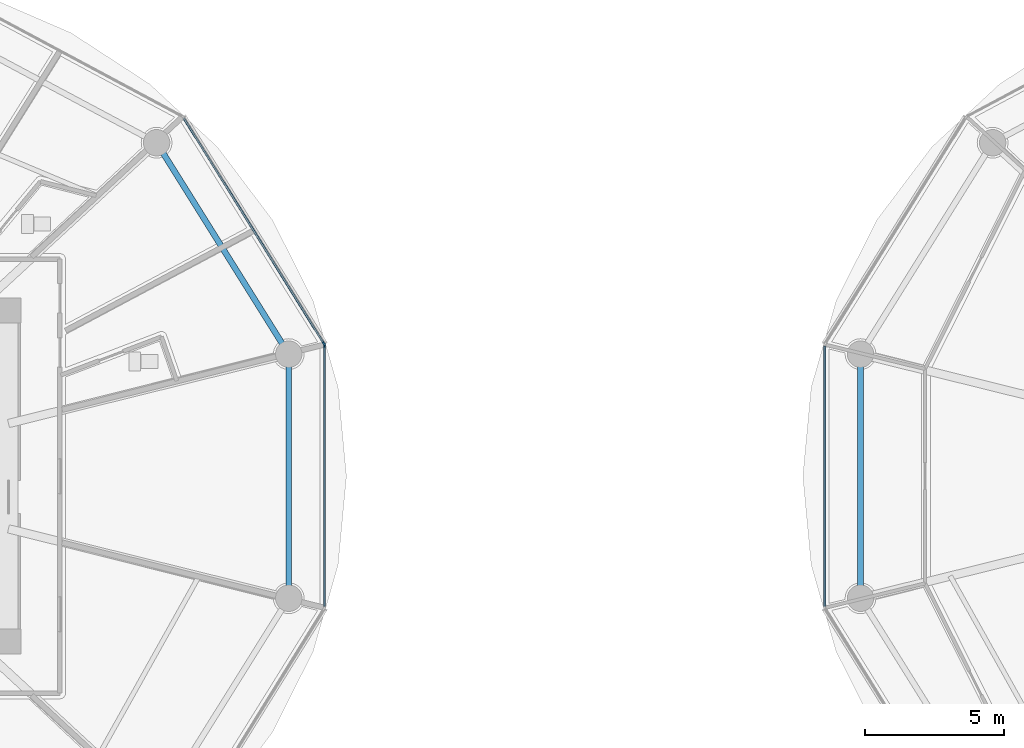
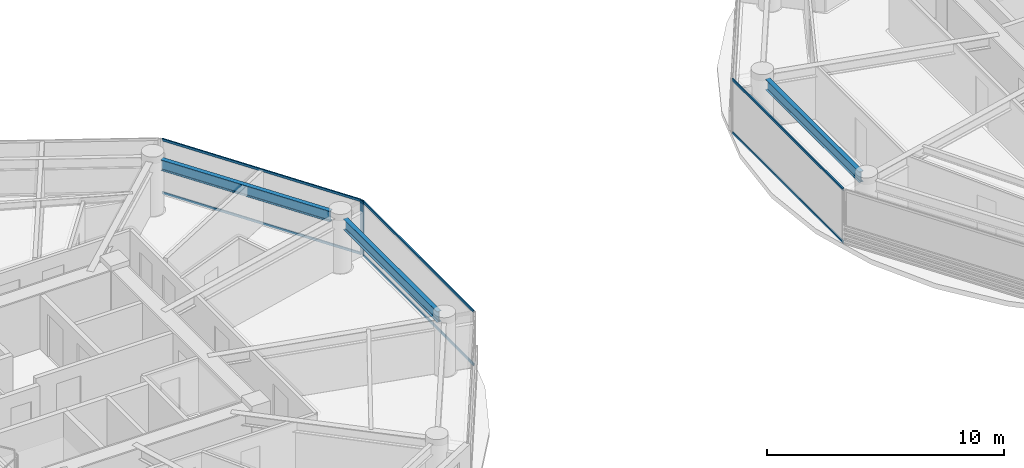
# One storey, part 7 of 31: 8 members, 3 beams, 3 elements without a shape of their own.
"""IFC4 building model written with IfcOpenShell, lengths in metres."""

import ifcopenshell
import ifcopenshell.guid

model = None  # the IFC model being written
_history = None  # IfcOwnerHistory: only IFC2X3 demands one
_inside = {}  # id of a spatial element -> (the spatial element, [elements in it])
_under = {}  # id of a project, library or spatial element -> (it, [spatial elements below it])
_declared = {}  # id of a project -> (the project, [libraries it declares])
_typed = {}  # id of a type object -> (the type object, [elements of that type])
_made_of = {}  # id of a material, layer set ... -> (it, [elements and type objects made of it])


def new_model(schema):
    """Start an empty IFC model of exactly this schema.

    Asked for "IFC4X3", IfcOpenShell would pick the latest addendum, in which some entities
    have other attributes; the version numbers below select the first issue.
    IFC2X3 requires an IfcOwnerHistory on every rooted entity: one is made here for all.
    """
    global model, _history
    if schema == "IFC4X3":
        model = ifcopenshell.file(schema_version=(4, 3, 0, 0))
    else:
        model = ifcopenshell.file(schema=schema)
    _inside.clear()
    _under.clear()
    _declared.clear()
    _typed.clear()
    _made_of.clear()
    _history = None
    if model.schema == "IFC2X3":
        org = make("IfcOrganization", Name="unknown")
        user = make(
            "IfcPersonAndOrganization",
            ThePerson=make("IfcPerson", FamilyName="unknown"),
            TheOrganization=org,
        )
        app = make(
            "IfcApplication",
            ApplicationDeveloper=org,
            Version="unknown",
            ApplicationFullName="unknown",
            ApplicationIdentifier="unknown",
        )
        _history = make(
            "IfcOwnerHistory",
            OwningUser=user,
            OwningApplication=app,
            ChangeAction="ADDED",
            CreationDate=0,
        )
    return model


def make(cls, **values):
    """One entity of the class cls with the attributes given. An attribute that is None is left unset."""
    return model.create_entity(
        cls, **{name: value for name, value in values.items() if value is not None}
    )


def rooted(cls, **values):
    """An entity with a GlobalId (a new one), such as an element, a storey or a relation."""
    return make(cls, GlobalId=ifcopenshell.guid.new(), OwnerHistory=_history, **values)


def si_unit(unit_type, name, prefix=None):
    """IfcSIUnit, for example si_unit("LENGTHUNIT", "METRE", prefix="MILLI")."""
    return make("IfcSIUnit", UnitType=unit_type, Prefix=prefix, Name=name)


def assignment(units):
    """IfcUnitAssignment: the units of a project."""
    return None if units is None else make("IfcUnitAssignment", Units=units)


def point(xyz):
    """IfcCartesianPoint."""
    return None if xyz is None else make("IfcCartesianPoint", Coordinates=xyz)


def direction(xyz):
    """IfcDirection."""
    return None if xyz is None else make("IfcDirection", DirectionRatios=xyz)


def frame(location, z_axis=None, x_axis=None):
    """IfcAxis2Placement3D, a coordinate frame: its origin and axes. An axis left out is left unset."""
    return make(
        "IfcAxis2Placement3D",
        Location=point(location),
        Axis=direction(z_axis),
        RefDirection=direction(x_axis),
    )


def frame_2d(location, x_axis=None):
    """IfcAxis2Placement2D, a coordinate frame in the plane: its origin and x axis."""
    return make(
        "IfcAxis2Placement2D", Location=point(location), RefDirection=direction(x_axis)
    )


def origin():
    """The frame at (0, 0, 0) with its axes left unset."""
    return frame((0.0, 0.0, 0.0))


def origin_2d():
    """The frame at (0, 0) in the plane with its x axis left unset."""
    return frame_2d((0.0, 0.0))


def place(relative_to, where):
    """IfcLocalPlacement: puts the frame where relative to a parent placement (None: the world)."""
    return make(
        "IfcLocalPlacement", PlacementRelTo=relative_to, RelativePlacement=where
    )


def context(
    kind, dimensions, precision=None, world=None, true_north=None, identifier=None
):
    """IfcGeometricRepresentationContext, for example the 3D "Model" context."""
    return make(
        "IfcGeometricRepresentationContext",
        ContextIdentifier=identifier,
        ContextType=kind,
        CoordinateSpaceDimension=dimensions,
        Precision=precision,
        WorldCoordinateSystem=world,
        TrueNorth=true_north,
    )


def subcontext(parent, identifier, kind, view, scale=None):
    """IfcGeometricRepresentationSubContext, for example "Body" below "Model"."""
    return make(
        "IfcGeometricRepresentationSubContext",
        ContextIdentifier=identifier,
        ContextType=kind,
        ParentContext=parent,
        TargetScale=scale,
        TargetView=view,
    )


def project(units=None, contexts=None):
    """IfcProject with its units and contexts."""
    return rooted(
        "IfcProject",
        Name="project",
        RepresentationContexts=contexts,
        UnitsInContext=assignment(units),
    )


def spatial(cls, under=None, at=None, **own):
    """A site, building, storey or space (cls), placed at a placement, below another one or the project."""
    s = rooted(cls, ObjectPlacement=at, **own)
    if under is not None:
        _under.setdefault(under.id(), (under, []))[1].append(s)
    return s


def profile(cls, at=None, kind="AREA", **sizes):
    """A parametric profile (cls). Its sizes go by their IFC names, for example OverallWidth=200.0."""
    return make(cls, ProfileType=kind, Position=at, **sizes)


def rectangle(**sizes):
    """IfcRectangleProfileDef."""
    return profile("IfcRectangleProfileDef", **sizes)


def i_section(**sizes):
    """IfcIShapeProfileDef."""
    return profile("IfcIShapeProfileDef", **sizes)


def extrude(swept, where, along, depth):
    """IfcExtrudedAreaSolid: the profile swept, set in the frame where, extruded along a direction by depth."""
    return make(
        "IfcExtrudedAreaSolid",
        SweptArea=swept,
        Position=where,
        ExtrudedDirection=direction(along),
        Depth=depth,
    )


def shape(context_of_items, identifier, shape_type, items):
    """IfcShapeRepresentation: the items that make up one representation, for example the "Body"."""
    return make(
        "IfcShapeRepresentation",
        ContextOfItems=context_of_items,
        RepresentationIdentifier=identifier,
        RepresentationType=shape_type,
        Items=items,
    )


def source(mapping_origin, context_of_items, identifier, shape_type, items):
    """IfcRepresentationMap: a shape defined once, which mapped items show again and again."""
    return make(
        "IfcRepresentationMap",
        MappingOrigin=mapping_origin,
        MappedRepresentation=shape(context_of_items, identifier, shape_type, items),
    )


def transform(
    local_origin,
    x_axis=None,
    y_axis=None,
    z_axis=None,
    scale=None,
    scale2=None,
    scale3=None,
    uniform=True,
):
    """IfcCartesianTransformationOperator3D, or its non-uniform kind. x_axis, y_axis, z_axis: its Axis1, 2, 3."""
    if uniform:
        return make(
            "IfcCartesianTransformationOperator3D",
            Axis1=direction(x_axis),
            Axis2=direction(y_axis),
            LocalOrigin=point(local_origin),
            Scale=scale,
            Axis3=direction(z_axis),
        )
    return make(
        "IfcCartesianTransformationOperator3DnonUniform",
        Axis1=direction(x_axis),
        Axis2=direction(y_axis),
        LocalOrigin=point(local_origin),
        Scale=scale,
        Axis3=direction(z_axis),
        Scale2=scale2,
        Scale3=scale3,
    )


def mapped(mapping_source, mapping_target):
    """IfcMappedItem: shows the shape of a source again, moved by a transform."""
    return make(
        "IfcMappedItem", MappingSource=mapping_source, MappingTarget=mapping_target
    )


def material(Name=None, Category=None):
    """IfcMaterial."""
    return make("IfcMaterial", Name=Name, Category=Category)


def layer(
    of_material, thickness, ventilated=None, Name=None, Category=None, Priority=None
):
    """IfcMaterialLayer: one layer of a wall or slab, of a material (None: an air gap)."""
    return make(
        "IfcMaterialLayer",
        Material=of_material,
        LayerThickness=thickness,
        IsVentilated=ventilated,
        Name=Name,
        Category=Category,
        Priority=Priority,
    )


def layer_set(layers, Name=None):
    """IfcMaterialLayerSet."""
    return make("IfcMaterialLayerSet", MaterialLayers=layers, LayerSetName=Name)


def material_profile(
    of_material, cross_section, Name=None, Category=None, Priority=None
):
    """IfcMaterialProfile: a cross section and its material."""
    return make(
        "IfcMaterialProfile",
        Name=Name,
        Material=of_material,
        Profile=cross_section,
        Priority=Priority,
        Category=Category,
    )


def profile_set(profiles, Name=None, composite=None):
    """IfcMaterialProfileSet."""
    return make(
        "IfcMaterialProfileSet",
        Name=Name,
        MaterialProfiles=profiles,
        CompositeProfile=composite,
    )


def made_of(thing, what):
    """Note that an element or type object is made of a material, layer set ...; save() writes the relation."""
    if what is not None:
        _made_of.setdefault(what.id(), (what, []))[1].append(thing)
    return thing


def type_object(cls, material=None, **own):
    """A type object (cls), such as IfcWallType, which elements share."""
    return made_of(rooted(cls, **own), material)


def type_shapes(of_type, sources):
    """Give a type object the sources (RepresentationMaps) that its elements show as mapped items."""
    of_type.RepresentationMaps = sources


def element(
    cls,
    number,
    at=None,
    inside=None,
    cuts=None,
    type_object=None,
    material=None,
    context=None,
    identifier="Body",
    shape_type=None,
    held_by="IfcProductDefinitionShape",
    body=None,
    shapes=None,
    **own,
):
    """One element of the class cls, such as IfcWall. Its Tag is "e" and its number.

    at: its placement. inside: the storey or other place that contains it. cuts: it is an
    opening in that element (IfcRelVoidsElement). A single representation is given by context,
    identifier, shape_type and body (its items); several are given by shapes. held_by: the class
    of the entity that holds the representations. save() writes the other relations.
    """
    e = rooted(cls, Tag="e%d" % number, ObjectPlacement=at, **own)
    if body is not None:
        shapes = [shape(context, identifier, shape_type, body)]
    if shapes is not None:
        e.Representation = make(held_by, Representations=shapes)
    if inside is not None:
        _inside.setdefault(inside.id(), (inside, []))[1].append(e)
    if cuts is not None:
        rooted(
            "IfcRelVoidsElement", RelatingBuildingElement=cuts, RelatedOpeningElement=e
        )
    if type_object is not None:
        _typed.setdefault(type_object.id(), (type_object, []))[1].append(e)
    return made_of(e, material)


def aggregate(whole, parts):
    """IfcRelAggregates: a whole, such as a stair, and the parts it consists of."""
    return rooted("IfcRelAggregates", RelatingObject=whole, RelatedObjects=parts)


def save(model, path):
    """Write the relations noted so far, then the file.

    IfcRelAggregates (storeys below a building ...), IfcRelContainedInSpatialStructure (elements
    in a storey), IfcRelDefinesByType, IfcRelAssociatesMaterial and IfcRelDeclares: one each for
    every whole, place, type object, material and project.
    """
    for whole, parts in _under.values():
        aggregate(whole, parts)
    for where, things in _inside.values():
        rooted(
            "IfcRelContainedInSpatialStructure",
            RelatedElements=things,
            RelatingStructure=where,
        )
    for kind, things in _typed.values():
        rooted("IfcRelDefinesByType", RelatedObjects=things, RelatingType=kind)
    for what, things in _made_of.values():
        rooted("IfcRelAssociatesMaterial", RelatedObjects=things, RelatingMaterial=what)
    for by, libraries in _declared.values():
        rooted("IfcRelDeclares", RelatingContext=by, RelatedDefinitions=libraries)
    model.write(path)


model = new_model("IFC4")

# Units and contexts
model_context = context("Model", 3, precision=1e-05, world=origin(), true_north=direction((0.0, 1.0)))
body_context = subcontext(model_context, "Body", "Model", "MODEL_VIEW")
ifc_project = project(units=[si_unit("LENGTHUNIT", "METRE"), si_unit("AREAUNIT", "SQUARE_METRE"), si_unit("VOLUMEUNIT", "CUBIC_METRE"), si_unit("PLANEANGLEUNIT", "RADIAN"), si_unit("MASSUNIT", "GRAM", prefix="KILO")], contexts=[model_context])

# Site, building, storey
site_placement = place(None, origin())
site = spatial("IfcSite", under=ifc_project, at=site_placement, CompositionType="ELEMENT")
building_placement = place(site_placement, origin())
building = spatial("IfcBuilding", under=site, at=building_placement, Name="Norrkilde Senior Care Towers", CompositionType="ELEMENT")
storey_placement = place(building_placement, frame((0.0, 0.0, 42.949951171875)))
storey = spatial("IfcBuildingStorey", under=building, at=storey_placement, Name="L12", CompositionType="ELEMENT", Elevation=42.949951171875)

# Beams
ifc_material_1 = material(Name="Steel S355", Category="steel")
ifc_material_profile_1 = material_profile(ifc_material_1, i_section(OverallWidth=0.2099609375, OverallDepth=0.550048828125, WebThickness=0.010986328125, FlangeThickness=0.01708984375, FilletRadius=0.02392578125, at=origin_2d()), Name="IPE 550")
ifc_profile_set_1 = profile_set([ifc_material_profile_1], Name="Steel S355")
beam_type = type_object("IfcBeamType", Name="Perimeter Ring Spandrel Z1 IPE550", PredefinedType="SPANDREL", material=ifc_profile_set_1)
shared_shape_1 = source(origin(), body_context, "Body", "SweptSolid", [
    extrude(i_section(OverallWidth=0.2099609375, OverallDepth=0.550048828125, WebThickness=0.010986328125, FlangeThickness=0.01708984375, FilletRadius=0.02392578125, at=origin_2d()), origin(), (0.0, 0.0, 1.0), 8.090576171875),
])
beam_placement = place(storey_placement, frame((-10.505859375, 4.755859375, 2.51513671875), z_axis=(-0.530004364821, 0.84799491347, 0.0), x_axis=(-0.84799491347, -0.530004364821, 0.0)))
element("IfcBeam", 1, at=beam_placement, inside=storey, type_object=beam_type, Name="L12 Drum W Perimeter Spandrel 01", PredefinedType="SPANDREL", context=body_context, shape_type="MappedRepresentation", body=[
    mapped(shared_shape_1, transform((0.0, 0.0, 0.0), x_axis=(1.0, 0.0, 0.0), y_axis=(0.0, 1.0, 0.0), z_axis=(0.0, 0.0, 1.0), scale=1.0)),
])
shared_shape_2 = source(origin(), body_context, "Body", "SweptSolid", [
    extrude(i_section(OverallWidth=0.2099609375, OverallDepth=0.550048828125, WebThickness=0.010986328125, FlangeThickness=0.01708984375, FilletRadius=0.02392578125, at=origin_2d()), origin(), (0.0, 0.0, 1.0), 7.90380859375),
])
type_shapes(beam_type, [shared_shape_1, shared_shape_2])
for number, where, z_axis, x_axis, name in (
    (2, (-10.275146484375, -3.951904296875, 2.51513671875), (0.0, 1.0, 0.0), (-1.0, 0.0, 0.0), "L12 Drum W Perimeter Spandrel 12"),
    (3, (10.275146484375, 3.951904296875, 2.51513671875), (0.0, -1.0, 0.0), (1.0, 0.0, 0.0), "L12 Drum E Perimeter Spandrel 06"),
):
    element("IfcBeam", number, at=place(storey_placement, frame(where, z_axis=z_axis, x_axis=x_axis)), inside=storey, type_object=beam_type, Name=name, PredefinedType="SPANDREL", context=body_context, shape_type="MappedRepresentation", body=[
        mapped(shared_shape_2, transform((0.0, 0.0, 0.0), x_axis=(1.0, 0.0, 0.0), y_axis=(0.0, 1.0, 0.0), z_axis=(0.0, 0.0, 1.0), scale=1.0)),
    ])

# Curtain wall, member
ifc_material_2 = material(Name="Triple Low-E Insulated Glazing", Category="glass")
ifc_layer = layer(ifc_material_2, 0.199951171875)
ifc_layer_set = layer_set([ifc_layer], Name="Triple Low-E Insulated Glazing")
curtain_wall_type = type_object("IfcCurtainWallType", Name="CW2 Zone 1 Memory Care Curtain Wall", PredefinedType="NOTDEFINED", material=ifc_layer_set)
curtain_wall_1_placement = place(storey_placement, origin())
curtain_wall_1 = element("IfcCurtainWall", 4, at=curtain_wall_1_placement, inside=storey, type_object=curtain_wall_type, Name="L12 Drum W Curtain Wall 00", PredefinedType="NOTDEFINED")
ifc_material_3 = material(Name="Anodised Aluminium", Category="aluminium")
ifc_material_profile_2 = material_profile(ifc_material_3, rectangle(XDim=0.06494140625, YDim=0.159912109375, at=origin_2d()), Name="ALU MULL 65x160")
ifc_profile_set_2 = profile_set([ifc_material_profile_2], Name="Anodised Aluminium")
member_type_1 = type_object("IfcMemberType", Name="Curtain Wall Mullion Z1-Z2 65x160", PredefinedType="MULLION", material=ifc_profile_set_2)
shared_shape_3 = source(origin(), body_context, "Body", "SweptSolid", [
    extrude(rectangle(XDim=0.06494140625, YDim=0.159912109375, at=origin_2d()), origin(), (0.0, 0.0, 1.0), 2.7900390625),
])
type_shapes(member_type_1, [shared_shape_3])
member_1_placement = place(storey_placement, frame((-9.0078125, 4.7587890625, 0.0), z_axis=(0.0, 0.0, 1.0), x_axis=(0.849305943117, 0.527900951871, 0.0)))
member_1 = element("IfcMember", 5, at=member_1_placement, type_object=member_type_1, Name="CW-2 mullion 2", PredefinedType="MULLION", context=body_context, shape_type="MappedRepresentation", body=[
    mapped(shared_shape_3, transform((0.0, 0.0, 0.0), x_axis=(1.0, 0.0, 0.0), y_axis=(0.0, 1.0, 0.0), z_axis=(0.0, 0.0, 1.0), scale=1.0)),
])

curtain_wall_2_placement = place(storey_placement, origin())
curtain_wall_2 = element("IfcCurtainWall", 6, at=curtain_wall_2_placement, inside=storey, type_object=curtain_wall_type, Name="L12 Drum W Curtain Wall 11", PredefinedType="NOTDEFINED")
member_2_placement = place(storey_placement, frame((-8.990478515625, 4.69873046875, 0.0), z_axis=(0.0, 0.0, 1.0), x_axis=(1.0, 0.0, 0.0)))
member_2 = element("IfcMember", 7, at=member_2_placement, type_object=member_type_1, Name="CW-2 mullion 1", PredefinedType="MULLION", context=body_context, shape_type="MappedRepresentation", body=[
    mapped(shared_shape_3, transform((0.0, 0.0, 0.0), x_axis=(1.0, 0.0, 0.0), y_axis=(0.0, 1.0, 0.0), z_axis=(0.0, 0.0, 1.0), scale=1.0)),
])

# Member
ifc_material_profile_3 = material_profile(ifc_material_3, rectangle(XDim=0.06005859375, YDim=0.1201171875, at=origin_2d()), Name="ALU TRAN 60x120")
ifc_profile_set_3 = profile_set([ifc_material_profile_3], Name="Anodised Aluminium")
member_type_2 = type_object("IfcMemberType", Name="Curtain Wall Transom Typical 60x120", PredefinedType="USERDEFINED", material=ifc_profile_set_3)
shared_shape_4 = source(origin(), body_context, "Body", "SweptSolid", [
    extrude(rectangle(XDim=0.06005859375, YDim=0.1201171875, at=origin_2d()), origin(), (0.0, 0.0, 1.0), 9.5185546875),
])
member_3_placement = place(storey_placement, frame((-14.0498046875, 12.87060546875, 0.030029296875), z_axis=(0.527901620669, -0.849305527413, 0.0), x_axis=(0.849305527413, 0.527901620669, 0.0)))
member_3 = element("IfcMember", 8, at=member_3_placement, type_object=member_type_2, Name="CW-2 transom 1.1", ObjectType="TRANSOM", PredefinedType="USERDEFINED", context=body_context, shape_type="MappedRepresentation", body=[
    mapped(shared_shape_4, transform((0.0, 0.0, 0.0), x_axis=(1.0, 0.0, 0.0), y_axis=(0.0, 1.0, 0.0), z_axis=(0.0, 0.0, 1.0), scale=1.0)),
])

member_4_placement = place(storey_placement, frame((-14.0498046875, 12.87060546875, 2.760009765625), z_axis=(0.527901620669, -0.849305527413, 0.0), x_axis=(0.849305527413, 0.527901620669, 0.0)))
member_4 = element("IfcMember", 9, at=member_4_placement, type_object=member_type_2, Name="CW-2 transom 1.2", ObjectType="TRANSOM", PredefinedType="USERDEFINED", context=body_context, shape_type="MappedRepresentation", body=[
    mapped(shared_shape_4, transform((0.0, 0.0, 0.0), x_axis=(1.0, 0.0, 0.0), y_axis=(0.0, 1.0, 0.0), z_axis=(0.0, 0.0, 1.0), scale=1.0)),
])

aggregate(curtain_wall_1, [member_1, member_3, member_4])

shared_shape_5 = source(origin(), body_context, "Body", "SweptSolid", [
    extrude(rectangle(XDim=0.06005859375, YDim=0.1201171875, at=origin_2d()), origin(), (0.0, 0.0, 1.0), 9.33251953125),
])
type_shapes(member_type_2, [shared_shape_4, shared_shape_5])
member_5_placement = place(storey_placement, frame((-8.990478515625, 4.666259765625, 0.030029296875), z_axis=(0.0, -1.0, 0.0), x_axis=(1.0, 0.0, 0.0)))
member_5 = element("IfcMember", 10, at=member_5_placement, type_object=member_type_2, Name="CW-2 transom 1.1", ObjectType="TRANSOM", PredefinedType="USERDEFINED", context=body_context, shape_type="MappedRepresentation", body=[
    mapped(shared_shape_5, transform((0.0, 0.0, 0.0), x_axis=(1.0, 0.0, 0.0), y_axis=(0.0, 1.0, 0.0), z_axis=(0.0, 0.0, 1.0), scale=1.0)),
])

member_6_placement = place(storey_placement, frame((-8.990478515625, 4.666259765625, 2.760009765625), z_axis=(0.0, -1.0, 0.0), x_axis=(1.0, 0.0, 0.0)))
member_6 = element("IfcMember", 11, at=member_6_placement, type_object=member_type_2, Name="CW-2 transom 1.2", ObjectType="TRANSOM", PredefinedType="USERDEFINED", context=body_context, shape_type="MappedRepresentation", body=[
    mapped(shared_shape_5, transform((0.0, 0.0, 0.0), x_axis=(1.0, 0.0, 0.0), y_axis=(0.0, 1.0, 0.0), z_axis=(0.0, 0.0, 1.0), scale=1.0)),
])

aggregate(curtain_wall_2, [member_2, member_5, member_6])

# Curtain wall, members
curtain_wall_3_placement = place(storey_placement, origin())
curtain_wall_3 = element("IfcCurtainWall", 12, at=curtain_wall_3_placement, inside=storey, type_object=curtain_wall_type, Name="L12 Drum E Curtain Wall 05", PredefinedType="NOTDEFINED")
member_7_placement = place(storey_placement, frame((8.990478515625, -4.666259765625, 0.030029296875), z_axis=(0.0, 1.0, 0.0), x_axis=(-1.0, 0.0, 0.0)))
member_7 = element("IfcMember", 13, at=member_7_placement, type_object=member_type_2, Name="CW-2 transom 1.1", ObjectType="TRANSOM", PredefinedType="USERDEFINED", context=body_context, shape_type="MappedRepresentation", body=[
    mapped(shared_shape_5, transform((0.0, 0.0, 0.0), x_axis=(1.0, 0.0, 0.0), y_axis=(0.0, 1.0, 0.0), z_axis=(0.0, 0.0, 1.0), scale=1.0)),
])
member_8_placement = place(storey_placement, frame((8.990478515625, -4.666259765625, 2.760009765625), z_axis=(0.0, 1.0, 0.0), x_axis=(-1.0, 0.0, 0.0)))
member_8 = element("IfcMember", 14, at=member_8_placement, type_object=member_type_2, Name="CW-2 transom 1.2", ObjectType="TRANSOM", PredefinedType="USERDEFINED", context=body_context, shape_type="MappedRepresentation", body=[
    mapped(shared_shape_5, transform((0.0, 0.0, 0.0), x_axis=(1.0, 0.0, 0.0), y_axis=(0.0, 1.0, 0.0), z_axis=(0.0, 0.0, 1.0), scale=1.0)),
])
aggregate(curtain_wall_3, [member_7, member_8])

save(model, "model.ifc")
